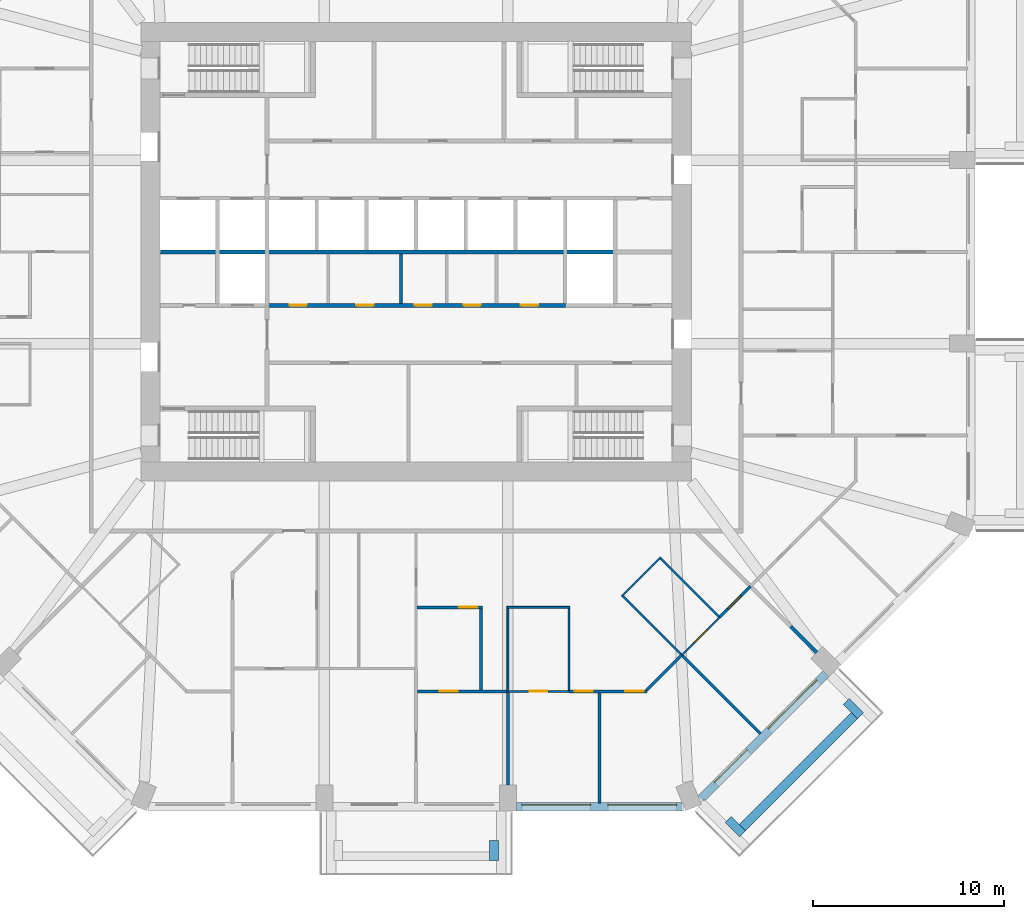
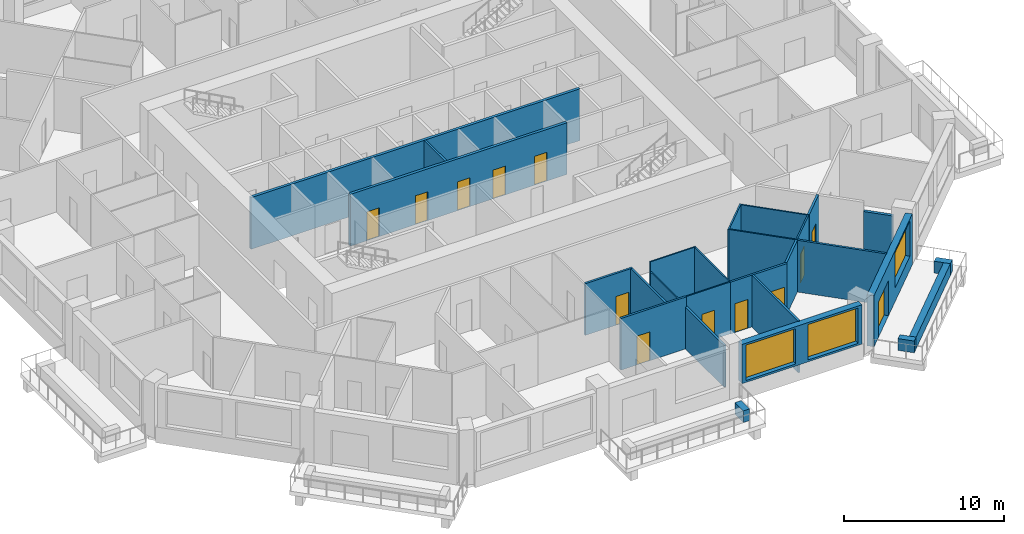
# One storey, part 5 of 13: 27 walls, 13 doors, 3 windows, 16 openings.
"""IFC4 building model written with IfcOpenShell, lengths in metres."""

from ifc_helpers import new_model, si_unit, direction, frame, frame_2d, origin, place, context, subcontext, project, spatial, rectangle, extrude, material, layer, layer_set, type_object, element, fill, save


model = new_model("IFC4")

# Units and contexts
model_context = context("Model", 3, precision=1e-05, world=origin(), true_north=direction((0.0, 1.0)))
body_context = subcontext(model_context, "Body", "Model", "MODEL_VIEW")
ifc_project = project(units=[si_unit("LENGTHUNIT", "METRE"), si_unit("AREAUNIT", "SQUARE_METRE"), si_unit("VOLUMEUNIT", "CUBIC_METRE"), si_unit("PLANEANGLEUNIT", "RADIAN"), si_unit("MASSUNIT", "GRAM", prefix="KILO")], contexts=[model_context])

# Site, building, storey
site_placement = place(None, origin())
site = spatial("IfcSite", under=ifc_project, at=site_placement, CompositionType="ELEMENT")
building_placement = place(site_placement, origin())
building = spatial("IfcBuilding", under=site, at=building_placement, Name="Msitu Wima Residences", CompositionType="ELEMENT")
storey_placement = place(building_placement, frame((0.0, 0.0, 29.699951171875)))
storey = spatial("IfcBuildingStorey", under=building, at=storey_placement, Name="L06", CompositionType="ELEMENT", Elevation=29.699951171875)

# Walls
ifc_material_1 = material(Name="Facing brick")
ifc_layer_1 = layer(ifc_material_1, 0.06494140625, Name="Facing brick")
ifc_material_2 = material(Name="Concrete C40/50", Category="concrete")
ifc_layer_2 = layer(ifc_material_2, 0.156005859375, Name="Concrete C40/50")
ifc_material_3 = material(Name="Waterproofing membrane")
ifc_layer_3 = layer(ifc_material_3, 0.00390625, Name="Waterproofing membrane")
ifc_material_4 = material(Name="Planting soil and planting")
ifc_layer_4 = layer(ifc_material_4, 0.22509765625, Name="Planting soil and planting")
ifc_layer_set_1 = layer_set([ifc_layer_1, ifc_layer_2, ifc_layer_3, ifc_layer_4], Name="Concrete C40/50")
wall_type_1 = type_object("IfcWallType", Name="Balcony planter PLANTER PL450", PredefinedType="USERDEFINED", material=ifc_layer_set_1)
wall_1_placement = place(storey_placement, frame((4.074951171875, -30.800048828125, 0.0), z_axis=(0.0, 0.0, 1.0), x_axis=(0.0, -1.0, 0.0)))
element("IfcWall", 1, at=wall_1_placement, inside=storey, type_object=wall_type_1, Name="Balcony planter S1 L06", ObjectType="PLANTER", PredefinedType="USERDEFINED", context=body_context, shape_type="SweptSolid", body=[
    extrude(rectangle(XDim=1.050048828125, YDim=0.449951171875, at=frame_2d((0.52490234375, 0.0))), origin(), (0.0, 0.0, 1.0), 0.900146484375),
])
wall_2_placement = place(storey_placement, frame((17.0693359375, -30.125732421875, 0.0), z_axis=(0.0, 0.0, 1.0), x_axis=(0.707106781187, 0.707106781187, 0.0)))
element("IfcWall", 2, at=wall_2_placement, inside=storey, type_object=wall_type_1, Name="Balcony planter SE0 L06", ObjectType="PLANTER", PredefinedType="USERDEFINED", context=body_context, shape_type="SweptSolid", body=[
    extrude(rectangle(XDim=8.2822265625, YDim=0.449951171875, at=frame_2d((4.14111328125, 0.0))), origin(), (0.0, 0.0, 1.0), 0.900146484375),
])
for number, where, z_axis, x_axis, name in (
    (3, (16.326904296875, -29.70166015625, 0.0), (0.0, 0.0, 1.0), (0.707106781187, -0.707106781187, 0.0), "Balcony planter SE0 L06"),
    (4, (22.50146484375, -23.52685546875, 0.0), (0.0, 0.0, 1.0), (0.707223014731, -0.706990528533, 0.0), "Balcony planter SE0 L06"),
):
    element("IfcWall", number, at=place(storey_placement, frame(where, z_axis=z_axis, x_axis=x_axis)), inside=storey, type_object=wall_type_1, Name=name, ObjectType="PLANTER", PredefinedType="USERDEFINED", context=body_context, shape_type="SweptSolid", body=[
        extrude(rectangle(XDim=1.050048828125, YDim=0.449951171875, at=frame_2d((0.52490234375, 0.0))), origin(), (0.0, 0.0, 1.0), 0.900146484375),
    ])

# Wall, openings, windows
ifc_material_5 = material(Name="Brick (red buff mix)", Category="masonry")
ifc_layer_5 = layer(ifc_material_5, 0.449951171875)
ifc_layer_set_2 = layer_set([ifc_layer_5], Name="Brick (red buff mix)")
wall_type_2 = type_object("IfcWallType", Name="Brick infill wall BW450", PredefinedType="SOLIDWALL", material=ifc_layer_set_2)
wall_3_placement = place(storey_placement, frame((5.25, -29.02490234375, 0.900146484375), z_axis=(0.0, 0.0, 1.0), x_axis=(1.0, 0.0, 0.0)))
wall_3 = element("IfcWall", 5, at=wall_3_placement, inside=storey, type_object=wall_type_2, Name="Brick infill wall L06 S2", PredefinedType="SOLIDWALL", context=body_context, shape_type="SweptSolid", body=[
    extrude(rectangle(XDim=8.662841796875, YDim=0.449951171875, at=frame_2d((4.33154296875, 0.0))), origin(), (0.0, 0.0, 1.0), 3.0),
])
opening_1_placement = place(wall_3_placement, frame((0.281494140625, 0.0, 0.14990234375)))
opening_1 = element("IfcOpeningElement", 6, at=opening_1_placement, cuts=wall_3, Name="Opening W05-07.019", PredefinedType="OPENING", context=body_context, shape_type="SweptSolid", body=[
    extrude(rectangle(XDim=3.60009765625, YDim=2.699951171875, at=frame_2d((1.800048828125, 1.35009765625))), frame((0.0, 0.23486328125, 0.0), z_axis=(0.0, -1.0, 0.0), x_axis=(1.0, 0.0, 0.0)), (0.0, 0.0, 1.0), 0.469970703125),
])
opening_2_placement = place(wall_3_placement, frame((4.781494140625, 0.0, 0.14990234375)))
opening_2 = element("IfcOpeningElement", 7, at=opening_2_placement, cuts=wall_3, Name="Opening W05-07.020", PredefinedType="OPENING", context=body_context, shape_type="SweptSolid", body=[
    extrude(rectangle(XDim=3.60009765625, YDim=2.699951171875, at=frame_2d((1.800048828125, 1.35009765625))), frame((0.0, 0.23486328125, 0.0), z_axis=(0.0, -1.0, 0.0), x_axis=(1.0, 0.0, 0.0)), (0.0, 0.0, 1.0), 0.469970703125),
])
ifc_material_6 = material(Name="Anodised aluminium, bronze finish, clear low-emissivity double glazing", Category="aluminium")
window_type = type_object("IfcWindowType", Name="Window W3600x2700", PartitioningType="DOUBLE_PANEL_VERTICAL", PredefinedType="WINDOW", material=ifc_material_6)
window_1_placement = place(opening_1_placement, origin())
window_1 = element("IfcWindow", 8, at=window_1_placement, inside=storey, type_object=window_type, Name="Window L06 S2.1", OverallHeight=2.699951171875, OverallWidth=3.60009765625, PartitioningType="SINGLE_PANEL", PredefinedType="WINDOW", context=body_context, shape_type="SweptSolid", body=[
    extrude(rectangle(XDim=3.60009765625, YDim=2.699951171875, at=frame_2d((1.800048828125, 1.35009765625))), frame((0.0, 0.135009765625, 0.0), z_axis=(0.0, -1.0, 0.0), x_axis=(1.0, 0.0, 0.0)), (0.0, 0.0, 1.0), 0.06005859375),
])
fill(opening_1, window_1)
window_2_placement = place(opening_2_placement, origin())
window_2 = element("IfcWindow", 9, at=window_2_placement, inside=storey, type_object=window_type, Name="Window L06 S2.2", OverallHeight=2.699951171875, OverallWidth=3.60009765625, PartitioningType="SINGLE_PANEL", PredefinedType="WINDOW", context=body_context, shape_type="SweptSolid", body=[
    extrude(rectangle(XDim=3.60009765625, YDim=2.699951171875, at=frame_2d((1.800048828125, 1.35009765625))), frame((0.0, 0.135009765625, 0.0), z_axis=(0.0, -1.0, 0.0), x_axis=(1.0, 0.0, 0.0)), (0.0, 0.0, 1.0), 0.06005859375),
])
fill(opening_2, window_2)

# Wall, openings, door, window
wall_4_placement = place(storey_placement, frame((14.903564453125, -28.61474609375, 0.0), z_axis=(0.0, 0.0, 1.0), x_axis=(0.707106781187, 0.707106781187, 0.0)))
wall_4 = element("IfcWall", 10, at=wall_4_placement, inside=storey, type_object=wall_type_2, Name="Brick infill wall L06 SE0", PredefinedType="SOLIDWALL", context=body_context, shape_type="SweptSolid", body=[
    extrude(rectangle(XDim=9.2451171875, YDim=0.449951171875, at=frame_2d((4.62255859375, 0.0))), origin(), (0.0, 0.0, 1.0), 3.900146484375),
])
opening_3_placement = place(wall_4_placement, frame((1.111328125, 0.0, 0.0)))
opening_3 = element("IfcOpeningElement", 11, at=opening_3_placement, cuts=wall_4, Name="Opening D05-07.007", PredefinedType="OPENING", context=body_context, shape_type="SweptSolid", body=[
    extrude(rectangle(XDim=2.39990234375, YDim=2.699951171875, at=frame_2d((1.199951171875, 1.35009765625))), frame((0.0, 0.23486328125, 0.0), z_axis=(0.0, -1.0, 0.0), x_axis=(1.0, 0.0, 0.0)), (0.0, 0.0, 1.0), 0.469970703125),
])
opening_4_placement = place(wall_4_placement, frame((5.072509765625, 0.0, 1.050048828125)))
opening_4 = element("IfcOpeningElement", 12, at=opening_4_placement, cuts=wall_4, Name="Opening W05-07.021", PredefinedType="OPENING", context=body_context, shape_type="SweptSolid", body=[
    extrude(rectangle(XDim=3.60009765625, YDim=2.699951171875, at=frame_2d((1.800048828125, 1.35009765625))), frame((0.0, 0.23486328125, 0.0), z_axis=(0.0, -1.0, 0.0), x_axis=(1.0, 0.0, 0.0)), (0.0, 0.0, 1.0), 0.469970703125),
])
door_type_1 = type_object("IfcDoorType", Name="Balcony door D2400x2700", OperationType="SLIDING_TO_LEFT", PredefinedType="DOOR", material=ifc_material_6)
door_1_placement = place(opening_3_placement, origin())
door_1 = element("IfcDoor", 13, at=door_1_placement, inside=storey, type_object=door_type_1, Name="Balcony door L06 SE0", OperationType="SINGLE_SWING_LEFT", OverallHeight=2.699951171875, OverallWidth=2.39990234375, PredefinedType="DOOR", context=body_context, shape_type="SweptSolid", body=[
    extrude(rectangle(XDim=2.39990234375, YDim=2.699951171875, at=frame_2d((1.199951171875, 1.35009765625))), frame((0.0, 0.1298828125, 0.0), z_axis=(0.0, -1.0, 0.0), x_axis=(1.0, 0.0, 0.0)), (0.0, 0.0, 1.0), 0.050048828125),
])
fill(opening_3, door_1)
window_3_placement = place(opening_4_placement, origin())
window_3 = element("IfcWindow", 14, at=window_3_placement, inside=storey, type_object=window_type, Name="Window L06 SE0.2", OverallHeight=2.699951171875, OverallWidth=3.60009765625, PartitioningType="SINGLE_PANEL", PredefinedType="WINDOW", context=body_context, shape_type="SweptSolid", body=[
    extrude(rectangle(XDim=3.60009765625, YDim=2.699951171875, at=frame_2d((1.800048828125, 1.35009765625))), frame((0.0, 0.135009765625, 0.0), z_axis=(0.0, -1.0, 0.0), x_axis=(1.0, 0.0, 0.0)), (0.0, 0.0, 1.0), 0.06005859375),
])
fill(opening_4, window_3)

# Wall, openings, doors
ifc_material_7 = material(Name="Plaster")
ifc_layer_6 = layer(ifc_material_7, 0.011962890625, Name="Plaster")
ifc_material_8 = material(Name="Concrete blockwork", Category="masonry")
ifc_layer_7 = layer(ifc_material_8, 0.176025390625, Name="Concrete blockwork")
ifc_layer_8 = layer(ifc_material_7, 0.011962890625, Name="Plaster")
ifc_layer_set_3 = layer_set([ifc_layer_6, ifc_layer_7, ifc_layer_8], Name="Concrete blockwork")
wall_type_3 = type_object("IfcWallType", Name="Corridor wall FW200", PredefinedType="PARTITIONING", material=ifc_layer_set_3)
wall_5_placement = place(storey_placement, frame((-7.820068359375, -2.800048828125, 0.0), z_axis=(0.0, 0.0, 1.0), x_axis=(1.0, 0.0, 0.0)))
wall_5 = element("IfcWall", 15, at=wall_5_placement, inside=storey, type_object=wall_type_3, Name="Corridor wall", PredefinedType="PARTITIONING", context=body_context, shape_type="SweptSolid", body=[
    extrude(rectangle(XDim=15.64013671875, YDim=0.199951171875, at=frame_2d((7.820068359375, 0.0))), origin(), (0.0, 0.0, 1.0), 3.949951171875),
])
opening_5_placement = place(wall_5_placement, frame((1.199951171875, 0.0, 0.0)))
opening_5 = element("IfcOpeningElement", 16, at=opening_5_placement, cuts=wall_5, Name="Opening D05-07.031", PredefinedType="OPENING", context=body_context, shape_type="SweptSolid", body=[
    extrude(rectangle(XDim=0.89990234375, YDim=2.199951171875, at=frame_2d((0.449951171875, 1.10009765625))), frame((0.0, 0.10986328125, 0.0), z_axis=(0.0, -1.0, 0.0), x_axis=(1.0, 0.0, 0.0)), (0.0, 0.0, 1.0), 0.219970703125),
])
opening_6_placement = place(wall_5_placement, frame((4.699951171875, 0.0, 0.0)))
opening_6 = element("IfcOpeningElement", 17, at=opening_6_placement, cuts=wall_5, Name="Opening D05-07.032", PredefinedType="OPENING", context=body_context, shape_type="SweptSolid", body=[
    extrude(rectangle(XDim=0.89990234375, YDim=2.199951171875, at=frame_2d((0.449951171875, 1.10009765625))), frame((0.0, 0.10986328125, 0.0), z_axis=(0.0, -1.0, 0.0), x_axis=(1.0, 0.0, 0.0)), (0.0, 0.0, 1.0), 0.219970703125),
])
opening_7_placement = place(wall_5_placement, frame((7.75, 0.0, 0.0)))
opening_7 = element("IfcOpeningElement", 18, at=opening_7_placement, cuts=wall_5, Name="Opening D05-07.033", PredefinedType="OPENING", context=body_context, shape_type="SweptSolid", body=[
    extrude(rectangle(XDim=0.89990234375, YDim=2.199951171875, at=frame_2d((0.449951171875, 1.10009765625))), frame((0.0, 0.10986328125, 0.0), z_axis=(0.0, -1.0, 0.0), x_axis=(1.0, 0.0, 0.0)), (0.0, 0.0, 1.0), 0.219970703125),
])
opening_8_placement = place(wall_5_placement, frame((10.300048828125, 0.0, 0.0)))
opening_8 = element("IfcOpeningElement", 19, at=opening_8_placement, cuts=wall_5, Name="Opening D05-07.034", PredefinedType="OPENING", context=body_context, shape_type="SweptSolid", body=[
    extrude(rectangle(XDim=0.89990234375, YDim=2.199951171875, at=frame_2d((0.449951171875, 1.10009765625))), frame((0.0, 0.10986328125, 0.0), z_axis=(0.0, -1.0, 0.0), x_axis=(1.0, 0.0, 0.0)), (0.0, 0.0, 1.0), 0.219970703125),
])
opening_9_placement = place(wall_5_placement, frame((13.300048828125, 0.0, 0.0)))
opening_9 = element("IfcOpeningElement", 20, at=opening_9_placement, cuts=wall_5, Name="Opening D05-07.035", PredefinedType="OPENING", context=body_context, shape_type="SweptSolid", body=[
    extrude(rectangle(XDim=0.89990234375, YDim=2.199951171875, at=frame_2d((0.449951171875, 1.10009765625))), frame((0.0, 0.10986328125, 0.0), z_axis=(0.0, -1.0, 0.0), x_axis=(1.0, 0.0, 0.0)), (0.0, 0.0, 1.0), 0.219970703125),
])
ifc_material_9 = material(Name="Timber flush door", Category="wood")
door_type_2 = type_object("IfcDoorType", Name="Service door D05 900x2200", OperationType="SINGLE_SWING_LEFT", PredefinedType="DOOR", material=ifc_material_9)
door_2_placement = place(opening_5_placement, origin())
door_2 = element("IfcDoor", 21, at=door_2_placement, inside=storey, type_object=door_type_2, Name="Service door", OperationType="SINGLE_SWING_RIGHT", OverallHeight=2.199951171875, OverallWidth=0.89990234375, PredefinedType="DOOR", context=body_context, shape_type="SweptSolid", body=[
    extrude(rectangle(XDim=0.89990234375, YDim=2.199951171875, at=frame_2d((0.449951171875, 1.10009765625))), frame((0.0, 0.02490234375, 0.0), z_axis=(0.0, -1.0, 0.0), x_axis=(1.0, 0.0, 0.0)), (0.0, 0.0, 1.0), 0.050048828125),
])
fill(opening_5, door_2)
door_3_placement = place(opening_6_placement, origin())
door_3 = element("IfcDoor", 22, at=door_3_placement, inside=storey, type_object=door_type_2, Name="Service door", OperationType="SINGLE_SWING_RIGHT", OverallHeight=2.199951171875, OverallWidth=0.89990234375, PredefinedType="DOOR", context=body_context, shape_type="SweptSolid", body=[
    extrude(rectangle(XDim=0.89990234375, YDim=2.199951171875, at=frame_2d((0.449951171875, 1.10009765625))), frame((0.0, 0.02490234375, 0.0), z_axis=(0.0, -1.0, 0.0), x_axis=(1.0, 0.0, 0.0)), (0.0, 0.0, 1.0), 0.050048828125),
])
fill(opening_6, door_3)
door_4_placement = place(opening_7_placement, origin())
door_4 = element("IfcDoor", 23, at=door_4_placement, inside=storey, type_object=door_type_2, Name="Service door", OperationType="SINGLE_SWING_LEFT", OverallHeight=2.199951171875, OverallWidth=0.89990234375, PredefinedType="DOOR", context=body_context, shape_type="SweptSolid", body=[
    extrude(rectangle(XDim=0.89990234375, YDim=2.199951171875, at=frame_2d((0.449951171875, 1.10009765625))), frame((0.0, 0.02490234375, 0.0), z_axis=(0.0, -1.0, 0.0), x_axis=(1.0, 0.0, 0.0)), (0.0, 0.0, 1.0), 0.050048828125),
])
fill(opening_7, door_4)
door_5_placement = place(opening_8_placement, origin())
door_5 = element("IfcDoor", 24, at=door_5_placement, inside=storey, type_object=door_type_2, Name="Service door", OperationType="SINGLE_SWING_RIGHT", OverallHeight=2.199951171875, OverallWidth=0.89990234375, PredefinedType="DOOR", context=body_context, shape_type="SweptSolid", body=[
    extrude(rectangle(XDim=0.89990234375, YDim=2.199951171875, at=frame_2d((0.449951171875, 1.10009765625))), frame((0.0, 0.02490234375, 0.0), z_axis=(0.0, -1.0, 0.0), x_axis=(1.0, 0.0, 0.0)), (0.0, 0.0, 1.0), 0.050048828125),
])
fill(opening_8, door_5)
door_6_placement = place(opening_9_placement, origin())
door_6 = element("IfcDoor", 25, at=door_6_placement, inside=storey, type_object=door_type_2, Name="Service door", OperationType="SINGLE_SWING_LEFT", OverallHeight=2.199951171875, OverallWidth=0.89990234375, PredefinedType="DOOR", context=body_context, shape_type="SweptSolid", body=[
    extrude(rectangle(XDim=0.89990234375, YDim=2.199951171875, at=frame_2d((0.449951171875, 1.10009765625))), frame((0.0, 0.02490234375, 0.0), z_axis=(0.0, -1.0, 0.0), x_axis=(1.0, 0.0, 0.0)), (0.0, 0.0, 1.0), 0.050048828125),
])
fill(opening_9, door_6)

# Wall
ifc_layer_9 = layer(ifc_material_7, 0.011962890625, Name="Plaster")
ifc_layer_10 = layer(ifc_material_8, 0.1259765625, Name="Concrete blockwork")
ifc_layer_11 = layer(ifc_material_7, 0.011962890625, Name="Plaster")
ifc_layer_set_4 = layer_set([ifc_layer_9, ifc_layer_10, ifc_layer_11], Name="Concrete blockwork")
wall_type_4 = type_object("IfcWallType", Name="Partition PW150", PredefinedType="PARTITIONING", material=ifc_layer_set_4)
wall_6_placement = place(storey_placement, frame((-0.800048828125, -2.699951171875, 0.0), z_axis=(0.0, 0.0, 1.0), x_axis=(0.0, 1.0, 0.0)))
element("IfcWall", 26, at=wall_6_placement, inside=storey, type_object=wall_type_4, Name="Partition", PredefinedType="PARTITIONING", context=body_context, shape_type="SweptSolid", body=[
    extrude(rectangle(XDim=2.599853515625, YDim=0.14990234375, at=frame_2d((1.2998046875, 0.0))), origin(), (0.0, 0.0, 1.0), 3.949951171875),
])

# Wall, opening, door
wall_7_placement = place(storey_placement, frame((0.074951171875, -23.0, 0.0), z_axis=(0.0, 0.0, 1.0), x_axis=(1.0, 0.0, 0.0)))
wall_7 = element("IfcWall", 27, at=wall_7_placement, inside=storey, type_object=wall_type_4, Name="Partition", PredefinedType="PARTITIONING", context=body_context, shape_type="SweptSolid", body=[
    extrude(rectangle(XDim=4.72509765625, YDim=0.14990234375, at=frame_2d((2.362548828125, 0.0))), origin(), (0.0, 0.0, 1.0), 3.949951171875),
])
opening_10_placement = place(wall_7_placement, frame((1.14990234375, 0.0, 0.0)))
opening_10 = element("IfcOpeningElement", 28, at=opening_10_placement, cuts=wall_7, Name="Opening D05-07.084", PredefinedType="OPENING", context=body_context, shape_type="SweptSolid", body=[
    extrude(rectangle(XDim=0.949951171875, YDim=2.199951171875, at=frame_2d((0.47509765625, 1.10009765625))), frame((0.0, 0.0849609375, 0.0), z_axis=(0.0, -1.0, 0.0), x_axis=(1.0, 0.0, 0.0)), (0.0, 0.0, 1.0), 0.169921875),
])
door_type_3 = type_object("IfcDoorType", Name="Room door D12 950x2200", OperationType="SINGLE_SWING_LEFT", PredefinedType="DOOR", material=ifc_material_9)
door_7_placement = place(opening_10_placement, origin())
door_7 = element("IfcDoor", 29, at=door_7_placement, inside=storey, type_object=door_type_3, Name="Room door", OperationType="SINGLE_SWING_RIGHT", OverallHeight=2.199951171875, OverallWidth=0.949951171875, PredefinedType="DOOR", context=body_context, shape_type="SweptSolid", body=[
    extrude(rectangle(XDim=0.949951171875, YDim=2.199951171875, at=frame_2d((0.47509765625, 1.10009765625))), frame((0.0, 0.02490234375, 0.0), z_axis=(0.0, -1.0, 0.0), x_axis=(1.0, 0.0, 0.0)), (0.0, 0.0, 1.0), 0.050048828125),
])
fill(opening_10, door_7)

wall_8_placement = place(storey_placement, frame((0.050048828125, -18.60009765625, 0.0), z_axis=(0.0, 0.0, 1.0), x_axis=(1.0, 0.0, 0.0)))
wall_8 = element("IfcWall", 30, at=wall_8_placement, inside=storey, type_object=wall_type_4, Name="Partition", PredefinedType="PARTITIONING", context=body_context, shape_type="SweptSolid", body=[
    extrude(rectangle(XDim=3.425048828125, YDim=0.14990234375, at=frame_2d((1.71240234375, 0.0))), origin(), (0.0, 0.0, 1.0), 3.949951171875),
])
opening_11_placement = place(wall_8_placement, frame((2.199951171875, 0.0, 0.0)))
opening_11 = element("IfcOpeningElement", 31, at=opening_11_placement, cuts=wall_8, Name="Opening D05-07.087", PredefinedType="OPENING", context=body_context, shape_type="SweptSolid", body=[
    extrude(rectangle(XDim=0.949951171875, YDim=2.199951171875, at=frame_2d((0.47509765625, 1.10009765625))), frame((0.0, 0.0849609375, 0.0), z_axis=(0.0, -1.0, 0.0), x_axis=(1.0, 0.0, 0.0)), (0.0, 0.0, 1.0), 0.169921875),
])
door_8_placement = place(opening_11_placement, origin())
door_8 = element("IfcDoor", 32, at=door_8_placement, inside=storey, type_object=door_type_3, Name="Room door", OperationType="SINGLE_SWING_LEFT", OverallHeight=2.199951171875, OverallWidth=0.949951171875, PredefinedType="DOOR", context=body_context, shape_type="SweptSolid", body=[
    extrude(rectangle(XDim=0.949951171875, YDim=2.199951171875, at=frame_2d((0.47509765625, 1.10009765625))), frame((0.0, 0.02490234375, 0.0), z_axis=(0.0, -1.0, 0.0), x_axis=(1.0, 0.0, 0.0)), (0.0, 0.0, 1.0), 0.050048828125),
])
fill(opening_11, door_8)

# Walls
wall_9_placement = place(storey_placement, frame((3.39990234375, -22.925048828125, 0.0), z_axis=(0.0, 0.0, 1.0), x_axis=(0.0, 1.0, 0.0)))
element("IfcWall", 33, at=wall_9_placement, inside=storey, type_object=wall_type_4, Name="Partition", PredefinedType="PARTITIONING", context=body_context, shape_type="SweptSolid", body=[
    extrude(rectangle(XDim=4.25, YDim=0.14990234375, at=frame_2d((2.125, 0.0))), origin(), (0.0, 0.0, 1.0), 3.949951171875),
])
wall_10_placement = place(storey_placement, frame((4.800048828125, -27.89990234375, 0.0), z_axis=(0.0, 0.0, 1.0), x_axis=(0.0, 1.0, 0.0)))
element("IfcWall", 34, at=wall_10_placement, inside=storey, type_object=wall_type_4, Name="Partition", PredefinedType="PARTITIONING", context=body_context, shape_type="SweptSolid", body=[
    extrude(rectangle(XDim=4.919921875, YDim=0.14990234375, at=frame_2d((2.4599609375, 0.0))), origin(), (0.0, 0.0, 1.0), 3.199951171875),
])

# Wall, openings, doors
wall_11_placement = place(storey_placement, frame((8.0, -23.0, 0.0), z_axis=(0.0, 0.0, 1.0), x_axis=(1.0, 0.0, 0.0)))
wall_11 = element("IfcWall", 35, at=wall_11_placement, inside=storey, type_object=wall_type_4, Name="Partition", PredefinedType="PARTITIONING", context=body_context, shape_type="SweptSolid", body=[
    extrude(rectangle(XDim=4.072509765625, YDim=0.14990234375, at=frame_2d((2.0361328125, 0.0))), origin(), (0.0, 0.0, 1.0), 3.949951171875),
])
opening_12_placement = place(wall_11_placement, frame((0.300048828125, 0.0, 0.0)))
opening_12 = element("IfcOpeningElement", 36, at=opening_12_placement, cuts=wall_11, Name="Opening D05-07.090", PredefinedType="OPENING", context=body_context, shape_type="SweptSolid", body=[
    extrude(rectangle(XDim=0.949951171875, YDim=2.199951171875, at=frame_2d((0.47509765625, 1.10009765625))), frame((0.0, 0.0849609375, 0.0), z_axis=(0.0, -1.0, 0.0), x_axis=(1.0, 0.0, 0.0)), (0.0, 0.0, 1.0), 0.169921875),
])
opening_13_placement = place(wall_11_placement, frame((2.949951171875, 0.0, 0.0)))
opening_13 = element("IfcOpeningElement", 37, at=opening_13_placement, cuts=wall_11, Name="Opening D05-07.093", PredefinedType="OPENING", context=body_context, shape_type="SweptSolid", body=[
    extrude(rectangle(XDim=0.949951171875, YDim=2.199951171875, at=frame_2d((0.47509765625, 1.10009765625))), frame((0.0, 0.0849609375, 0.0), z_axis=(0.0, -1.0, 0.0), x_axis=(1.0, 0.0, 0.0)), (0.0, 0.0, 1.0), 0.169921875),
])
door_9_placement = place(opening_12_placement, origin())
door_9 = element("IfcDoor", 38, at=door_9_placement, inside=storey, type_object=door_type_3, Name="Room door", OperationType="SINGLE_SWING_LEFT", OverallHeight=2.199951171875, OverallWidth=0.949951171875, PredefinedType="DOOR", context=body_context, shape_type="SweptSolid", body=[
    extrude(rectangle(XDim=0.949951171875, YDim=2.199951171875, at=frame_2d((0.47509765625, 1.10009765625))), frame((0.0, 0.02490234375, 0.0), z_axis=(0.0, -1.0, 0.0), x_axis=(1.0, 0.0, 0.0)), (0.0, 0.0, 1.0), 0.050048828125),
])
fill(opening_12, door_9)
door_10_placement = place(opening_13_placement, origin())
door_10 = element("IfcDoor", 39, at=door_10_placement, inside=storey, type_object=door_type_3, Name="Room door", OperationType="SINGLE_SWING_RIGHT", OverallHeight=2.199951171875, OverallWidth=0.949951171875, PredefinedType="DOOR", context=body_context, shape_type="SweptSolid", body=[
    extrude(rectangle(XDim=0.949951171875, YDim=2.199951171875, at=frame_2d((0.47509765625, 1.10009765625))), frame((0.0, 0.02490234375, 0.0), z_axis=(0.0, -1.0, 0.0), x_axis=(1.0, 0.0, 0.0)), (0.0, 0.0, 1.0), 0.050048828125),
])
fill(opening_13, door_10)

# Walls
wall_12_placement = place(storey_placement, frame((9.60009765625, -28.85498046875, 0.0), z_axis=(0.0, 0.0, 1.0), x_axis=(0.0, 1.0, 0.0)))
element("IfcWall", 40, at=wall_12_placement, inside=storey, type_object=wall_type_4, Name="Partition", PredefinedType="PARTITIONING", context=body_context, shape_type="SweptSolid", body=[
    extrude(rectangle(XDim=5.780029296875, YDim=0.14990234375, at=frame_2d((2.89013671875, 0.0))), origin(), (0.0, 0.0, 1.0), 3.949951171875),
])
wall_13_placement = place(storey_placement, frame((12.050537109375, -22.947021484375, 0.0), z_axis=(0.0, 0.0, 1.0), x_axis=(0.707106781187, 0.707106781187, 0.0)))
element("IfcWall", 41, at=wall_13_placement, inside=storey, type_object=wall_type_4, Name="Partition", PredefinedType="PARTITIONING", context=body_context, shape_type="SweptSolid", body=[
    extrude(rectangle(XDim=2.61376953125, YDim=0.14990234375, at=frame_2d((1.306884765625, 0.0))), origin(), (0.0, 0.0, 1.0), 3.949951171875),
])
wall_14_placement = place(storey_placement, frame((13.884521484375, -21.084716796875, 0.0), z_axis=(0.0, 0.0, 1.0), x_axis=(0.707106781187, -0.707106781187, 0.0)))
element("IfcWall", 42, at=wall_14_placement, inside=storey, type_object=wall_type_4, Name="Partition", PredefinedType="PARTITIONING", context=body_context, shape_type="SweptSolid", body=[
    extrude(rectangle(XDim=5.844970703125, YDim=0.14990234375, at=frame_2d((2.92236328125, 0.0))), origin(), (0.0, 0.0, 1.0), 3.949951171875),
])

# Wall, opening, door
wall_15_placement = place(storey_placement, frame((15.892822265625, -19.104736328125, 0.0), z_axis=(0.0, 0.0, 1.0), x_axis=(0.707106781187, 0.707106781187, 0.0)))
wall_15 = element("IfcWall", 43, at=wall_15_placement, inside=storey, type_object=wall_type_4, Name="Partition", PredefinedType="PARTITIONING", context=body_context, shape_type="SweptSolid", body=[
    extrude(rectangle(XDim=2.271240234375, YDim=0.14990234375, at=frame_2d((1.1357421875, 0.0))), origin(), (0.0, 0.0, 1.0), 3.949951171875),
])
opening_14_placement = place(wall_15_placement, frame((0.60009765625, 0.0, 0.0)))
opening_14 = element("IfcOpeningElement", 44, at=opening_14_placement, cuts=wall_15, Name="Opening D05-07.088", PredefinedType="OPENING", context=body_context, shape_type="SweptSolid", body=[
    extrude(rectangle(XDim=0.949951171875, YDim=2.199951171875, at=frame_2d((0.47509765625, 1.10009765625))), frame((0.0, 0.0849609375, 0.0), z_axis=(0.0, -1.0, 0.0), x_axis=(1.0, 0.0, 0.0)), (0.0, 0.0, 1.0), 0.169921875),
])
door_11_placement = place(opening_14_placement, origin())
door_11 = element("IfcDoor", 45, at=door_11_placement, inside=storey, type_object=door_type_3, Name="Room door", OperationType="SINGLE_SWING_LEFT", OverallHeight=2.199951171875, OverallWidth=0.949951171875, PredefinedType="DOOR", context=body_context, shape_type="SweptSolid", body=[
    extrude(rectangle(XDim=0.949951171875, YDim=2.199951171875, at=frame_2d((0.47509765625, 1.10009765625))), frame((0.0, 0.02490234375, 0.0), z_axis=(0.0, -1.0, 0.0), x_axis=(1.0, 0.0, 0.0)), (0.0, 0.0, 1.0), 0.050048828125),
])
fill(opening_14, door_11)

# Walls
ifc_layer_12 = layer(ifc_material_7, 0.011962890625, Name="Plaster")
ifc_material_10 = material(Name="Dense concrete blockwork", Category="masonry")
ifc_layer_13 = layer(ifc_material_10, 0.176025390625, Name="Dense concrete blockwork")
ifc_layer_14 = layer(ifc_material_7, 0.011962890625, Name="Plaster")
ifc_layer_set_5 = layer_set([ifc_layer_12, ifc_layer_13, ifc_layer_14], Name="Dense concrete blockwork")
wall_type_5 = type_object("IfcWallType", Name="Party wall PW200", PredefinedType="PARTITIONING", material=ifc_layer_set_5)
wall_16_placement = place(storey_placement, frame((19.605712890625, -19.605712890625, 0.0), z_axis=(0.0, 0.0, 1.0), x_axis=(0.707106781187, -0.707106781187, 0.0)))
element("IfcWall", 46, at=wall_16_placement, inside=storey, type_object=wall_type_5, Name="Party wall", PredefinedType="PARTITIONING", context=body_context, shape_type="SweptSolid", body=[
    extrude(rectangle(XDim=1.92041015625, YDim=0.199951171875, at=frame_2d((0.960205078125, 0.0))), origin(), (0.0, 0.0, 1.0), 3.25),
])
ifc_material_11 = material(Name="Fire-rated board")
ifc_layer_15 = layer(ifc_material_11, 0.02490234375, Name="Fire-rated board")
ifc_material_12 = material(Name="Light-gauge stud framing with mineral wool")
ifc_layer_16 = layer(ifc_material_12, 0.14990234375, Name="Light-gauge stud framing with mineral wool")
ifc_layer_17 = layer(ifc_material_11, 0.02490234375, Name="Fire-rated board")
ifc_layer_set_6 = layer_set([ifc_layer_15, ifc_layer_16, ifc_layer_17], Name="Light-gauge stud framing with mineral wool")
wall_type_6 = type_object("IfcWallType", Name="Shaft wall SH200", PredefinedType="PARTITIONING", material=ifc_layer_set_6)
wall_17_placement = place(storey_placement, frame((-13.3701171875, 0.0, 0.0), z_axis=(0.0, 0.0, 1.0), x_axis=(1.0, 0.0, 0.0)))
element("IfcWall", 47, at=wall_17_placement, inside=storey, type_object=wall_type_6, Name="Shaft wall", PredefinedType="PARTITIONING", context=body_context, shape_type="SweptSolid", body=[
    extrude(rectangle(XDim=23.77001953125, YDim=0.199951171875, at=frame_2d((11.885009765625, 0.0))), origin(), (0.0, 0.0, 1.0), 3.949951171875),
])

# Wall, opening, door
ifc_material_13 = material(Name="Ceramic tiles")
ifc_layer_18 = layer(ifc_material_13, 0.008056640625, Name="Ceramic tiles")
ifc_material_14 = material(Name="Moisture-resistant board")
ifc_layer_19 = layer(ifc_material_14, 0.012451171875, Name="Moisture-resistant board")
ifc_layer_20 = layer(ifc_material_12, 0.06689453125, Name="Light-gauge stud framing with mineral wool")
ifc_layer_21 = layer(ifc_material_14, 0.012451171875, Name="Moisture-resistant board")
ifc_layer_set_7 = layer_set([ifc_layer_18, ifc_layer_19, ifc_layer_20, ifc_layer_21], Name="Light-gauge stud framing with mineral wool")
wall_type_7 = type_object("IfcWallType", Name="Wet wall PW100", PredefinedType="PARTITIONING", material=ifc_layer_set_7)
wall_18_placement = place(storey_placement, frame((4.800048828125, -23.0, 0.0), z_axis=(0.0, 0.0, 1.0), x_axis=(1.0, 0.0, 0.0)))
wall_18 = element("IfcWall", 48, at=wall_18_placement, inside=storey, type_object=wall_type_7, Name="Wet wall", PredefinedType="PARTITIONING", context=body_context, shape_type="SweptSolid", body=[
    extrude(rectangle(XDim=3.199951171875, YDim=0.10009765625, at=frame_2d((1.60009765625, 0.0))), origin(), (0.0, 0.0, 1.0), 3.949951171875),
])
opening_15_placement = place(wall_18_placement, frame((1.14990234375, 0.0, 0.0)))
opening_15 = element("IfcOpeningElement", 49, at=opening_15_placement, cuts=wall_18, Name="Opening D05-07.091", PredefinedType="OPENING", context=body_context, shape_type="SweptSolid", body=[
    extrude(rectangle(XDim=0.89990234375, YDim=2.199951171875, at=frame_2d((0.449951171875, 1.10009765625))), frame((0.0, 0.06005859375, 0.0), z_axis=(0.0, -1.0, 0.0), x_axis=(1.0, 0.0, 0.0)), (0.0, 0.0, 1.0), 0.1201171875),
])
ifc_material_15 = material(Name="Timber flush door, moisture resistant", Category="wood")
door_type_4 = type_object("IfcDoorType", Name="Bathroom door D03 900x2200", OperationType="SINGLE_SWING_LEFT", PredefinedType="DOOR", material=ifc_material_15)
door_12_placement = place(opening_15_placement, origin())
door_12 = element("IfcDoor", 50, at=door_12_placement, inside=storey, type_object=door_type_4, Name="Bathroom door", OperationType="SINGLE_SWING_LEFT", OverallHeight=2.199951171875, OverallWidth=0.89990234375, PredefinedType="DOOR", context=body_context, shape_type="SweptSolid", body=[
    extrude(rectangle(XDim=0.89990234375, YDim=2.199951171875, at=frame_2d((0.449951171875, 1.10009765625))), frame((0.0, 0.02490234375, 0.0), z_axis=(0.0, -1.0, 0.0), x_axis=(1.0, 0.0, 0.0)), (0.0, 0.0, 1.0), 0.050048828125),
])
fill(opening_15, door_12)

# Walls
wall_19_placement = place(storey_placement, frame((4.800048828125, -22.97998046875, 0.0), z_axis=(0.0, 0.0, 1.0), x_axis=(0.0, 1.0, 0.0)))
element("IfcWall", 51, at=wall_19_placement, inside=storey, type_object=wall_type_7, Name="Wet wall", PredefinedType="PARTITIONING", context=body_context, shape_type="SweptSolid", body=[
    extrude(rectangle(XDim=4.330078125, YDim=0.10009765625, at=frame_2d((2.1650390625, 0.0))), origin(), (0.0, 0.0, 1.0), 3.199951171875),
])
wall_20_placement = place(storey_placement, frame((4.75, -18.60009765625, 0.0), z_axis=(0.0, 0.0, 1.0), x_axis=(1.0, 0.0, 0.0)))
element("IfcWall", 52, at=wall_20_placement, inside=storey, type_object=wall_type_7, Name="Wet wall", PredefinedType="PARTITIONING", context=body_context, shape_type="SweptSolid", body=[
    extrude(rectangle(XDim=3.300048828125, YDim=0.10009765625, at=frame_2d((1.64990234375, 0.0))), origin(), (0.0, 0.0, 1.0), 3.949951171875),
])
wall_21_placement = place(storey_placement, frame((8.0, -22.925048828125, 0.0), z_axis=(0.0, 0.0, 1.0), x_axis=(0.0, 1.0, 0.0)))
element("IfcWall", 53, at=wall_21_placement, inside=storey, type_object=wall_type_7, Name="Wet wall", PredefinedType="PARTITIONING", context=body_context, shape_type="SweptSolid", body=[
    extrude(rectangle(XDim=4.275146484375, YDim=0.10009765625, at=frame_2d((2.1376953125, 0.0))), origin(), (0.0, 0.0, 1.0), 3.949951171875),
])
wall_22_placement = place(storey_placement, frame((10.752197265625, -18.02294921875, 0.0), z_axis=(0.0, 0.0, 1.0), x_axis=(0.707064687739, 0.707148872128, 0.0)))
element("IfcWall", 54, at=wall_22_placement, inside=storey, type_object=wall_type_7, Name="Wet wall", PredefinedType="PARTITIONING", context=body_context, shape_type="SweptSolid", body=[
    extrude(rectangle(XDim=2.900146484375, YDim=0.10009765625, at=frame_2d((1.4501953125, 0.0))), origin(), (0.0, 0.0, 1.0), 3.949951171875),
])
wall_23_placement = place(storey_placement, frame((10.82275390625, -18.02294921875, 0.0), z_axis=(0.0, 0.0, 1.0), x_axis=(0.707106781187, -0.707106781187, 0.0)))
element("IfcWall", 55, at=wall_23_placement, inside=storey, type_object=wall_type_7, Name="Wet wall", PredefinedType="PARTITIONING", context=body_context, shape_type="SweptSolid", body=[
    extrude(rectangle(XDim=4.330078125, YDim=0.10009765625, at=frame_2d((2.1650390625, 0.0))), origin(), (0.0, 0.0, 1.0), 3.949951171875),
])
wall_24_placement = place(storey_placement, frame((12.802734375, -16.04296875, 0.0), z_axis=(0.0, 0.0, 1.0), x_axis=(0.707106781187, -0.707106781187, 0.0)))
element("IfcWall", 56, at=wall_24_placement, inside=storey, type_object=wall_type_7, Name="Wet wall", PredefinedType="PARTITIONING", context=body_context, shape_type="SweptSolid", body=[
    extrude(rectangle(XDim=4.300048828125, YDim=0.10009765625, at=frame_2d((2.14990234375, 0.0))), origin(), (0.0, 0.0, 1.0), 3.949951171875),
])

# Wall, opening, door
wall_25_placement = place(storey_placement, frame((13.898681640625, -21.098876953125, 0.0), z_axis=(0.0, 0.0, 1.0), x_axis=(0.707106781187, 0.707106781187, 0.0)))
wall_25 = element("IfcWall", 57, at=wall_25_placement, inside=storey, type_object=wall_type_7, Name="Wet wall", PredefinedType="PARTITIONING", context=body_context, shape_type="SweptSolid", body=[
    extrude(rectangle(XDim=2.820068359375, YDim=0.10009765625, at=frame_2d((1.41015625, 0.0))), origin(), (0.0, 0.0, 1.0), 3.949951171875),
])
opening_16_placement = place(wall_25_placement, frame((0.949951171875, 0.0, 0.0)))
opening_16 = element("IfcOpeningElement", 58, at=opening_16_placement, cuts=wall_25, Name="Opening D05-07.089", PredefinedType="OPENING", context=body_context, shape_type="SweptSolid", body=[
    extrude(rectangle(XDim=0.89990234375, YDim=2.199951171875, at=frame_2d((0.449951171875, 1.10009765625))), frame((0.0, 0.06005859375, 0.0), z_axis=(0.0, -1.0, 0.0), x_axis=(1.0, 0.0, 0.0)), (0.0, 0.0, 1.0), 0.1201171875),
])
door_13_placement = place(opening_16_placement, origin())
door_13 = element("IfcDoor", 59, at=door_13_placement, inside=storey, type_object=door_type_4, Name="Bathroom door", OperationType="SINGLE_SWING_LEFT", OverallHeight=2.199951171875, OverallWidth=0.89990234375, PredefinedType="DOOR", context=body_context, shape_type="SweptSolid", body=[
    extrude(rectangle(XDim=0.89990234375, YDim=2.199951171875, at=frame_2d((0.449951171875, 1.10009765625))), frame((0.0, 0.02490234375, 0.0), z_axis=(0.0, -1.0, 0.0), x_axis=(1.0, 0.0, 0.0)), (0.0, 0.0, 1.0), 0.050048828125),
])
fill(opening_16, door_13)

save(model, "model.ifc")
